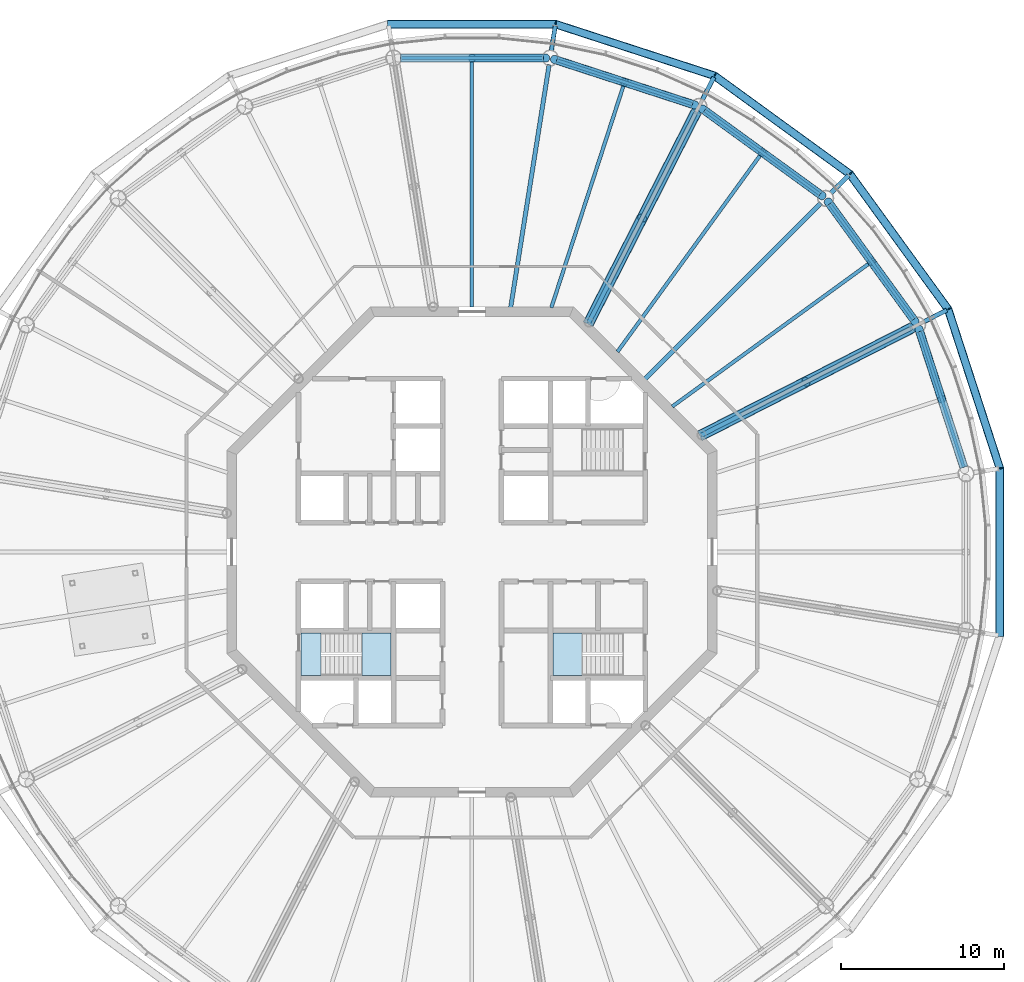
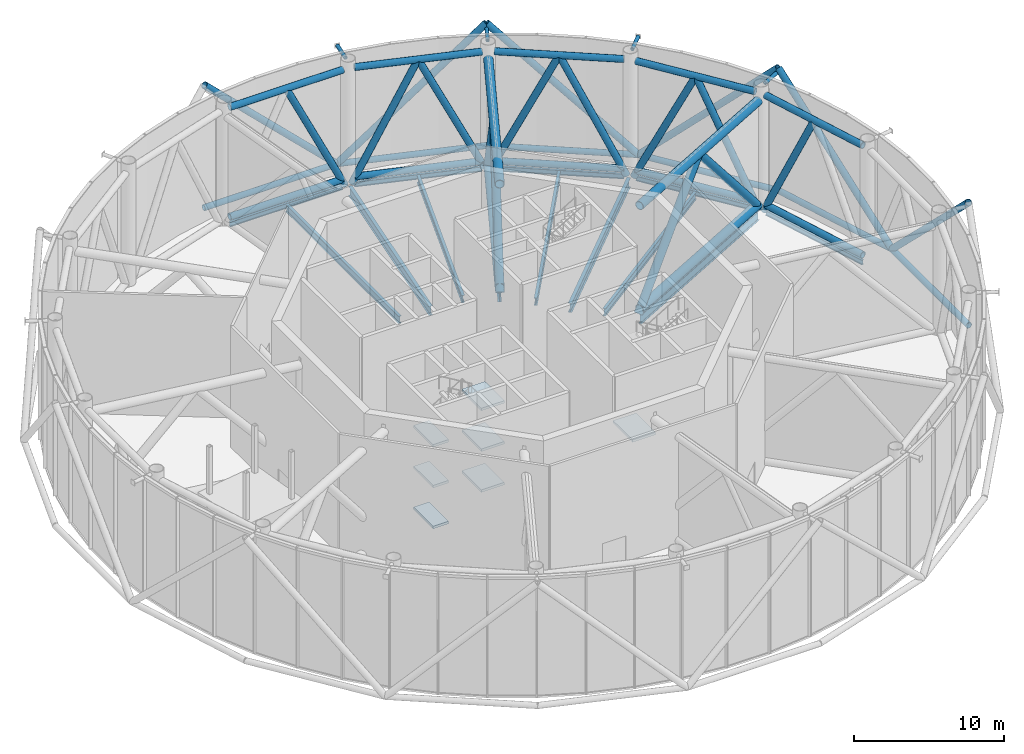
# One storey, part 4 of 23: 42 members, 13 beams, 7 slabs, 2 elements without a shape of their own.
"""IFC4 building model written with IfcOpenShell, lengths in metres."""

from ifc_helpers import new_model, si_unit, direction, frame, origin, origin_2d, place, context, subcontext, project, spatial, polyline, circle, hollow_circle, i_section, outline, extrude, material, layer, layer_set, material_profile, profile_set, type_object, element, aggregate, save


model = new_model("IFC4")

# Units and contexts
model_context = context("Model", 3, precision=1e-05, world=origin(), true_north=direction((0.0, 1.0)))
body_context = subcontext(model_context, "Body", "Model", "MODEL_VIEW")
ifc_project = project(units=[si_unit("LENGTHUNIT", "METRE"), si_unit("AREAUNIT", "SQUARE_METRE"), si_unit("VOLUMEUNIT", "CUBIC_METRE"), si_unit("PLANEANGLEUNIT", "RADIAN"), si_unit("MASSUNIT", "GRAM", prefix="KILO")], contexts=[model_context])

# Site, building, storey
site_placement = place(None, origin())
site = spatial("IfcSite", under=ifc_project, at=site_placement, CompositionType="ELEMENT")
building_placement = place(site_placement, origin())
building = spatial("IfcBuilding", under=site, at=building_placement, Name="Entoto Ring Tower", CompositionType="ELEMENT")
storey_placement = place(building_placement, frame((0.0, 0.0, 392.0)))
storey = spatial("IfcBuildingStorey", under=building, at=storey_placement, Name="L91", CompositionType="ELEMENT", Elevation=392.0)

# Members
ifc_material_1 = material(Name="Steel S355", Category="steel")
ifc_material_profile_1 = material_profile(ifc_material_1, hollow_circle(Radius=0.25390625, WallThickness=0.030029296875, at=origin_2d()), Name="CHS 508 x 30")
ifc_material_2 = material(Name="Concrete C60/75", Category="concrete")
ifc_material_profile_2 = material_profile(ifc_material_2, circle(Radius=0.22412109375, at=origin_2d()), Name="Concrete C60/75 infill")
ifc_profile_set_1 = profile_set([ifc_material_profile_1, ifc_material_profile_2], Name="Steel S355")
member_type_1 = type_object("IfcMemberType", Name="Diagrid diagonal 508 x 30 concrete-filled tube", PredefinedType="BRACE", material=ifc_profile_set_1)
member_1_placement = place(storey_placement, frame((122.29736328125, 85.115478515625, 0.0), z_axis=(0.0, -0.715132528585, 0.698988888724), x_axis=(1.0, 0.0, 0.0)))
element("IfcMember", 1, at=member_1_placement, inside=storey, type_object=member_type_1, Name="DG7 module 29 01", PredefinedType="BRACE", context=body_context, shape_type="SweptSolid", body=[
    extrude(hollow_circle(Radius=0.25390625, WallThickness=0.030029296875, at=origin_2d()), origin(), (0.0, 0.0, 1.0), 14.306396484375),
])
member_2_placement = place(storey_placement, frame((122.29736328125, 85.115478515625, 0.0), z_axis=(-0.220979790543, 0.680124223671, 0.698998549746), x_axis=(-0.95105896794, -0.309009448885, 0.0)))
element("IfcMember", 2, at=member_2_placement, inside=storey, type_object=member_type_1, Name="DG7 module 29 02", PredefinedType="BRACE", context=body_context, shape_type="SweptSolid", body=[
    extrude(hollow_circle(Radius=0.25390625, WallThickness=0.030029296875, at=origin_2d()), origin(), (0.0, 0.0, 1.0), 14.30615234375),
])
for number, where, z_axis, x_axis, name in (
    (3, (113.122314453125, 103.122314453125, 0.0), (0.420350928989, -0.578545680196, 0.698992126153), (0.809008424404, 0.587797047665, 0.0), "DG7 module 29 03"),
    (4, (113.122314453125, 103.122314453125, 0.0), (-0.578545680196, 0.420350928989, 0.698992126153), (-0.587797047665, -0.809008424404, 0.0), "DG7 module 29 04"),
):
    element("IfcMember", number, at=place(storey_placement, frame(where, z_axis=z_axis, x_axis=x_axis)), inside=storey, type_object=member_type_1, Name=name, PredefinedType="BRACE", context=body_context, shape_type="SweptSolid", body=[
        extrude(hollow_circle(Radius=0.25390625, WallThickness=0.030029296875, at=origin_2d()), origin(), (0.0, 0.0, 1.0), 14.306396484375),
    ])
member_3_placement = place(storey_placement, frame((95.115478515625, 112.29736328125, 0.0), z_axis=(0.680124223671, -0.220979790543, 0.698998549746), x_axis=(0.309009448885, 0.95105896794, 0.0)))
element("IfcMember", 5, at=member_3_placement, inside=storey, type_object=member_type_1, Name="DG7 module 29 05", PredefinedType="BRACE", context=body_context, shape_type="SweptSolid", body=[
    extrude(hollow_circle(Radius=0.25390625, WallThickness=0.030029296875, at=origin_2d()), origin(), (0.0, 0.0, 1.0), 14.30615234375),
])
member_4_placement = place(storey_placement, frame((95.115478515625, 112.29736328125, 0.0), z_axis=(-0.715132528585, 0.0, 0.698988888724), x_axis=(0.0, -1.0, 0.0)))
element("IfcMember", 6, at=member_4_placement, inside=storey, type_object=member_type_1, Name="DG7 module 29 06", PredefinedType="BRACE", context=body_context, shape_type="SweptSolid", body=[
    extrude(hollow_circle(Radius=0.25390625, WallThickness=0.030029296875, at=origin_2d()), origin(), (0.0, 0.0, 1.0), 14.306396484375),
])
ifc_material_3 = material(Name="Steel S355", Category="steel")
ifc_material_profile_3 = material_profile(ifc_material_3, hollow_circle(Radius=0.136474609375, WallThickness=0.012451171875, at=origin_2d()), Name="CHS 273 x 12.5")
ifc_material_4 = material(Name="Concrete C60/75", Category="concrete")
ifc_material_profile_4 = material_profile(ifc_material_4, circle(Radius=0.1240234375, at=origin_2d()), Name="Concrete C60/75 infill")
ifc_profile_set_2 = profile_set([ifc_material_profile_3, ifc_material_profile_4], Name="Steel S355")
member_type_2 = type_object("IfcMemberType", Name="Diagrid node strut 273 x 12.5", PredefinedType="STRUT", material=ifc_profile_set_2)
member_5_placement = place(storey_placement, frame((117.675537109375, 94.101318359375, 9.71337890625), z_axis=(0.891006809714, 0.453989939363, 0.0), x_axis=(-0.453989939363, 0.891006809714, 0.0)))
element("IfcMember", 7, at=member_5_placement, inside=storey, type_object=member_type_2, Name="DS2 strut ring 29 01", PredefinedType="STRUT", context=body_context, shape_type="SweptSolid", body=[
    extrude(hollow_circle(Radius=0.136474609375, WallThickness=0.012451171875, at=origin_2d()), origin(), (0.0, 0.0, 1.0), 1.5390625),
])
member_6_placement = place(storey_placement, frame((111.96337890625, 101.96337890625, 9.71337890625), z_axis=(0.707106781187, 0.707106781187, 0.0), x_axis=(-0.707106781187, 0.707106781187, 0.0)))
element("IfcMember", 8, at=member_6_placement, inside=storey, type_object=member_type_2, Name="DS2 strut ring 29 02", PredefinedType="STRUT", context=body_context, shape_type="SweptSolid", body=[
    extrude(hollow_circle(Radius=0.136474609375, WallThickness=0.012451171875, at=origin_2d()), origin(), (0.0, 0.0, 1.0), 1.539306640625),
])
member_7_placement = place(storey_placement, frame((104.101318359375, 107.675537109375, 9.71337890625), z_axis=(0.453989939363, 0.891006809714, 0.0), x_axis=(-0.891006809714, 0.453989939363, 0.0)))
element("IfcMember", 9, at=member_7_placement, inside=storey, type_object=member_type_2, Name="DS2 strut ring 29 03", PredefinedType="STRUT", context=body_context, shape_type="SweptSolid", body=[
    extrude(hollow_circle(Radius=0.136474609375, WallThickness=0.012451171875, at=origin_2d()), origin(), (0.0, 0.0, 1.0), 1.5390625),
])
member_8_placement = place(storey_placement, frame((94.85888671875, 110.678466796875, 9.71337890625), z_axis=(0.156548977711, 0.987670196765, 0.0), x_axis=(-0.987670196765, 0.156548977711, 0.0)))
element("IfcMember", 10, at=member_8_placement, inside=storey, type_object=member_type_2, Name="DS2 strut ring 29 04", PredefinedType="STRUT", context=body_context, shape_type="SweptSolid", body=[
    extrude(hollow_circle(Radius=0.136474609375, WallThickness=0.012451171875, at=origin_2d()), origin(), (0.0, 0.0, 1.0), 1.539306640625),
])
ifc_material_5 = material(Name="Steel S355", Category="steel")
ifc_material_profile_5 = material_profile(ifc_material_5, hollow_circle(Radius=0.228515625, WallThickness=0.02001953125, at=origin_2d()), Name="CHS 457 x 20")
ifc_material_6 = material(Name="Concrete C60/75", Category="concrete")
ifc_material_profile_6 = material_profile(ifc_material_6, circle(Radius=0.20849609375, at=origin_2d()), Name="Concrete C60/75 infill")
ifc_profile_set_3 = profile_set([ifc_material_profile_5, ifc_material_profile_6], Name="Steel S355")
member_type_3 = type_object("IfcMemberType", Name="Diagrid ring beam 457 x 20", PredefinedType="CHORD", material=ifc_profile_set_3)
member_9_placement = place(storey_placement, frame((122.314697265625, 85.06201171875, 0.0), z_axis=(-0.309002809244, 0.951061125206, 0.0), x_axis=(-0.951061125206, -0.309002809244, 0.0)))
element("IfcMember", 11, at=member_9_placement, inside=storey, type_object=member_type_3, Name="DR3 ring 28 01", PredefinedType="CHORD", context=body_context, shape_type="SweptSolid", body=[
    extrude(hollow_circle(Radius=0.228515625, WallThickness=0.02001953125, at=origin_2d()), origin(), (0.0, 0.0, 1.0), 10.343017578125),
])
for number, where, z_axis, x_axis, name in (
    (12, (119.1689453125, 94.800048828125, 0.0), (-0.587781465034, 0.809019745966, 0.0), (-0.809019745966, -0.587781465034, 0.0), "DR3 ring 28 02"),
    (13, (113.16796875, 103.08935546875, 0.0), (-0.809019745966, 0.587781465034, 0.0), (-0.587781465034, -0.809019745966, 0.0), "DR3 ring 28 03"),
):
    element("IfcMember", number, at=place(storey_placement, frame(where, z_axis=z_axis, x_axis=x_axis)), inside=storey, type_object=member_type_3, Name=name, PredefinedType="CHORD", context=body_context, shape_type="SweptSolid", body=[
        extrude(hollow_circle(Radius=0.228515625, WallThickness=0.02001953125, at=origin_2d()), origin(), (0.0, 0.0, 1.0), 10.34326171875),
    ])
member_10_placement = place(storey_placement, frame((104.89892578125, 109.11865234375, 0.0), z_axis=(-0.951061125206, 0.309002809244, 0.0), x_axis=(-0.309002809244, -0.951061125206, 0.0)))
element("IfcMember", 14, at=member_10_placement, inside=storey, type_object=member_type_3, Name="DR3 ring 28 04", PredefinedType="CHORD", context=body_context, shape_type="SweptSolid", body=[
    extrude(hollow_circle(Radius=0.228515625, WallThickness=0.02001953125, at=origin_2d()), origin(), (0.0, 0.0, 1.0), 10.343017578125),
])
for number, where, z_axis, x_axis, name in (
    (15, (95.171630859375, 112.29736328125, 0.0), (-1.0, 0.0, 0.0), (0.0, -1.0, 0.0), "DR3 ring 28 05"),
    (16, (122.29736328125, 74.828369140625, 0.0), (0.0, 1.0, 0.0), (-1.0, 0.0, 0.0), "DR3 ring 28 20"),
):
    element("IfcMember", number, at=place(storey_placement, frame(where, z_axis=z_axis, x_axis=x_axis)), inside=storey, type_object=member_type_3, Name=name, PredefinedType="CHORD", context=body_context, shape_type="SweptSolid", body=[
        extrude(hollow_circle(Radius=0.228515625, WallThickness=0.02001953125, at=origin_2d()), origin(), (0.0, 0.0, 1.0), 10.34326171875),
    ])

# Beams
ifc_material_7 = material(Name="Steel S355", Category="steel")
ifc_material_profile_7 = material_profile(ifc_material_7, i_section(OverallWidth=0.179931640625, OverallDepth=0.39990234375, WebThickness=0.008544921875, FlangeThickness=0.013427734375, FilletRadius=0.02099609375, at=origin_2d()), Name="IPE 400")
ifc_profile_set_4 = profile_set([ifc_material_profile_7], Name="Steel S355")
beam_type_1 = type_object("IfcBeamType", Name="Edge beam IPE 400", PredefinedType="SPANDREL", material=ifc_profile_set_4)
beam_1_placement = place(storey_placement, frame((120.09326171875, 85.187255859375, -0.35009765625), z_axis=(-0.309030438368, 0.951052147972, 0.0), x_axis=(-0.951052147972, -0.309030438368, 0.0)))
element("IfcBeam", 17, at=beam_1_placement, inside=storey, type_object=beam_type_1, Name="Edge beam L91 01", PredefinedType="SPANDREL", context=body_context, shape_type="SweptSolid", body=[
    extrude(i_section(OverallWidth=0.179931640625, OverallDepth=0.39990234375, WebThickness=0.008544921875, FlangeThickness=0.013427734375, FilletRadius=0.02099609375, at=origin_2d()), origin(), (0.0, 0.0, 1.0), 8.732177734375),
])
for number, where, z_axis, x_axis, name in (
    (18, (117.017333984375, 94.232666015625, -0.35009765625), (-0.587794254874, 0.80901045354, 0.0), (-0.80901045354, -0.587794254874, 0.0), "Edge beam L91 02"),
    (19, (111.296875, 101.884765625, -0.35009765625), (-0.80901045354, 0.587794254874, 0.0), (-0.587794254874, -0.80901045354, 0.0), "Edge beam L91 03"),
):
    element("IfcBeam", number, at=place(storey_placement, frame(where, z_axis=z_axis, x_axis=x_axis)), inside=storey, type_object=beam_type_1, Name=name, PredefinedType="SPANDREL", context=body_context, shape_type="SweptSolid", body=[
        extrude(i_section(OverallWidth=0.179931640625, OverallDepth=0.39990234375, WebThickness=0.008544921875, FlangeThickness=0.013427734375, FilletRadius=0.02099609375, at=origin_2d()), origin(), (0.0, 0.0, 1.0), 8.73193359375),
    ])
beam_2_placement = place(storey_placement, frame((103.491943359375, 107.394775390625, -0.35009765625), z_axis=(-0.951052147972, 0.309030438368, 0.0), x_axis=(-0.309030438368, -0.951052147972, 0.0)))
element("IfcBeam", 20, at=beam_2_placement, inside=storey, type_object=beam_type_1, Name="Edge beam L91 04", PredefinedType="SPANDREL", context=body_context, shape_type="SweptSolid", body=[
    extrude(i_section(OverallWidth=0.179931640625, OverallDepth=0.39990234375, WebThickness=0.008544921875, FlangeThickness=0.013427734375, FilletRadius=0.02099609375, at=origin_2d()), origin(), (0.0, 0.0, 1.0), 8.732177734375),
])
beam_3_placement = place(storey_placement, frame((94.365966796875, 110.22314453125, -0.35009765625), z_axis=(-1.0, 0.0, 0.0), x_axis=(0.0, -1.0, 0.0)))
element("IfcBeam", 21, at=beam_3_placement, inside=storey, type_object=beam_type_1, Name="Edge beam L91 05", PredefinedType="SPANDREL", context=body_context, shape_type="SweptSolid", body=[
    extrude(i_section(OverallWidth=0.179931640625, OverallDepth=0.39990234375, WebThickness=0.008544921875, FlangeThickness=0.013427734375, FilletRadius=0.02099609375, at=origin_2d()), origin(), (0.0, 0.0, 1.0), 8.73193359375),
])

# Members
ifc_material_8 = material(Name="Steel S355", Category="steel")
ifc_material_profile_8 = material_profile(ifc_material_8, hollow_circle(Radius=0.330078125, WallThickness=0.031982421875, at=origin_2d()), Name="CHS 660 x 32")
ifc_material_9 = material(Name="Concrete C60/75", Category="concrete")
ifc_material_profile_9 = material_profile(ifc_material_9, circle(Radius=0.298095703125, at=origin_2d()), Name="Concrete C60/75 infill")
ifc_profile_set_5 = profile_set([ifc_material_profile_8, ifc_material_profile_9], Name="Steel S355")
member_type_4 = type_object("IfcMemberType", Name="Outrigger chord 660 x 32", PredefinedType="CHORD", material=ifc_profile_set_5)
for number, where, z_axis, x_axis, name in (
    (22, (103.939453125, 87.1025390625, 0.330078125), (0.891006825369, 0.453989908638, 0.0), (-0.453989908638, 0.891006825369, 0.0), "OR1C L91 bottom 01"),
    (23, (103.939453125, 87.1025390625, 8.76708984375), (0.891006825369, 0.453989908638, 0.0), (-0.453989908638, 0.891006825369, 0.0), "OR1C L91 top 01"),
    (24, (97.1025390625, 93.939453125, 0.330078125), (0.453989908638, 0.891006825369, 0.0), (-0.891006825369, 0.453989908638, 0.0), "OR1C L91 bottom 02"),
    (25, (97.1025390625, 93.939453125, 8.76708984375), (0.453989908638, 0.891006825369, 0.0), (-0.891006825369, 0.453989908638, 0.0), "OR1C L91 top 02"),
):
    element("IfcMember", number, at=place(storey_placement, frame(where, z_axis=z_axis, x_axis=x_axis)), inside=storey, type_object=member_type_4, Name=name, PredefinedType="CHORD", context=body_context, shape_type="SweptSolid", body=[
        extrude(hollow_circle(Radius=0.330078125, WallThickness=0.031982421875, at=origin_2d()), origin(), (0.0, 0.0, 1.0), 14.599853515625),
    ])
ifc_material_10 = material(Name="Steel S355", Category="steel")
ifc_material_profile_10 = material_profile(ifc_material_10, hollow_circle(Radius=0.304931640625, WallThickness=0.030029296875, at=origin_2d()), Name="CHS 610 x 30")
ifc_material_11 = material(Name="Concrete C60/75", Category="concrete")
ifc_material_profile_11 = material_profile(ifc_material_11, circle(Radius=0.27490234375, at=origin_2d()), Name="Concrete C60/75 infill")
ifc_profile_set_6 = profile_set([ifc_material_profile_10, ifc_material_profile_11], Name="Steel S355")
member_type_5 = type_object("IfcMemberType", Name="Outrigger diagonal 610 x 30", PredefinedType="BRACE", material=ifc_profile_set_6)
member_11_placement = place(storey_placement, frame((103.81787109375, 87.04052734375, 0.019287109375), z_axis=(0.576703882361, 0.293840712084, 0.762279652091), x_axis=(-0.453984866353, 0.89100939452, 0.0)))
element("IfcMember", 26, at=member_11_placement, inside=storey, type_object=member_type_5, Name="OR2C L91 01 1", PredefinedType="BRACE", context=body_context, shape_type="SweptSolid", body=[
    extrude(hollow_circle(Radius=0.304931640625, WallThickness=0.030029296875, at=origin_2d()), origin(), (0.0, 0.0, 1.0), 11.475830078125),
])
member_12_placement = place(storey_placement, frame((110.43603515625, 90.41259765625, 8.76708984375), z_axis=(0.576718132049, 0.293861369037, -0.762260908058), x_axis=(-0.454001297508, 0.891001022368, 0.0)))
element("IfcMember", 27, at=member_12_placement, inside=storey, type_object=member_type_5, Name="OR2C L91 01 2", PredefinedType="BRACE", context=body_context, shape_type="SweptSolid", body=[
    extrude(hollow_circle(Radius=0.304931640625, WallThickness=0.030029296875, at=origin_2d()), origin(), (0.0, 0.0, 1.0), 11.447509765625),
])
member_13_placement = place(storey_placement, frame((97.04052734375, 93.81787109375, 0.019287109375), z_axis=(0.293840712084, 0.576703882361, 0.762279652091), x_axis=(-0.89100939452, 0.453984866353, 0.0)))
element("IfcMember", 28, at=member_13_placement, inside=storey, type_object=member_type_5, Name="OR2C L91 02 1", PredefinedType="BRACE", context=body_context, shape_type="SweptSolid", body=[
    extrude(hollow_circle(Radius=0.304931640625, WallThickness=0.030029296875, at=origin_2d()), origin(), (0.0, 0.0, 1.0), 11.475830078125),
])
member_14_placement = place(storey_placement, frame((100.41259765625, 100.43603515625, 8.76708984375), z_axis=(0.293861369037, 0.576718132049, -0.762260908058), x_axis=(-0.891001022368, 0.454001297508, 0.0)))
element("IfcMember", 29, at=member_14_placement, inside=storey, type_object=member_type_5, Name="OR2C L91 02 2", PredefinedType="BRACE", context=body_context, shape_type="SweptSolid", body=[
    extrude(hollow_circle(Radius=0.304931640625, WallThickness=0.030029296875, at=origin_2d()), origin(), (0.0, 0.0, 1.0), 11.447509765625),
])

# Beams
ifc_material_12 = material(Name="Steel S355", Category="steel")
ifc_material_profile_12 = material_profile(ifc_material_12, i_section(OverallWidth=0.262939453125, OverallDepth=0.7529296875, WebThickness=0.011474609375, FlangeThickness=0.01708984375, FilletRadius=0.01708984375, at=origin_2d()), Name="IPE 750 x 137")
ifc_profile_set_7 = profile_set([ifc_material_profile_12], Name="Steel S355")
beam_type_2 = type_object("IfcBeamType", Name="Primary floor beam IPE 750 x 137", PredefinedType="BEAM", material=ifc_profile_set_7)
beam_4_placement = place(storey_placement, frame((103.9970703125, 87.1318359375, -0.526611328125), z_axis=(0.89100578373, 0.453991952968, 0.0), x_axis=(-0.453991952968, 0.89100578373, 0.0)))
element("IfcBeam", 30, at=beam_4_placement, inside=storey, type_object=beam_type_2, Name="Primary L91 R02", PredefinedType="BEAM", context=body_context, shape_type="SweptSolid", body=[
    extrude(i_section(OverallWidth=0.262939453125, OverallDepth=0.7529296875, WebThickness=0.011474609375, FlangeThickness=0.01708984375, FilletRadius=0.01708984375, at=origin_2d()), origin(), (0.0, 0.0, 1.0), 14.48046875),
])
beam_5_placement = place(storey_placement, frame((100.592529296875, 90.592529296875, -0.526611328125), z_axis=(0.707106781187, 0.707106781187, 0.0), x_axis=(-0.707106781187, 0.707106781187, 0.0)))
element("IfcBeam", 31, at=beam_5_placement, inside=storey, type_object=beam_type_2, Name="Primary L91 R03", PredefinedType="BEAM", context=body_context, shape_type="SweptSolid", body=[
    extrude(i_section(OverallWidth=0.262939453125, OverallDepth=0.7529296875, WebThickness=0.011474609375, FlangeThickness=0.01708984375, FilletRadius=0.01708984375, at=origin_2d()), origin(), (0.0, 0.0, 1.0), 15.209716796875),
])
beam_6_placement = place(storey_placement, frame((97.1318359375, 93.9970703125, -0.526611328125), z_axis=(0.453991952968, 0.89100578373, 0.0), x_axis=(-0.89100578373, 0.453991952968, 0.0)))
element("IfcBeam", 32, at=beam_6_placement, inside=storey, type_object=beam_type_2, Name="Primary L91 R04", PredefinedType="BEAM", context=body_context, shape_type="SweptSolid", body=[
    extrude(i_section(OverallWidth=0.262939453125, OverallDepth=0.7529296875, WebThickness=0.011474609375, FlangeThickness=0.01708984375, FilletRadius=0.01708984375, at=origin_2d()), origin(), (0.0, 0.0, 1.0), 14.48046875),
])
beam_7_placement = place(storey_placement, frame((92.369384765625, 94.959716796875, -0.526611328125), z_axis=(0.156432586517, 0.987688638122, 0.0), x_axis=(-0.987688638122, 0.156432586517, 0.0)))
element("IfcBeam", 33, at=beam_7_placement, inside=storey, type_object=beam_type_2, Name="Primary L91 R05", PredefinedType="BEAM", context=body_context, shape_type="SweptSolid", body=[
    extrude(i_section(OverallWidth=0.262939453125, OverallDepth=0.7529296875, WebThickness=0.011474609375, FlangeThickness=0.01708984375, FilletRadius=0.01708984375, at=origin_2d()), origin(), (0.0, 0.0, 1.0), 15.04345703125),
])

# Members
ifc_material_13 = material(Name="Steel S355", Category="steel")
ifc_material_profile_13 = material_profile(ifc_material_13, hollow_circle(Radius=0.25390625, WallThickness=0.030029296875, at=origin_2d()), Name="CHS 508 x 30")
ifc_material_14 = material(Name="Concrete C60/75", Category="concrete")
ifc_material_profile_14 = material_profile(ifc_material_14, circle(Radius=0.22412109375, at=origin_2d()), Name="Concrete C60/75 infill")
ifc_profile_set_8 = profile_set([ifc_material_profile_13, ifc_material_profile_14], Name="Steel S355")
member_type_6 = type_object("IfcMemberType", Name="Ring truss chord 508 x 30", PredefinedType="CHORD", material=ifc_profile_set_8)
for number, where, z_axis, x_axis, name in (
    (34, (120.096435546875, 85.177490234375, 0.25390625), (-0.309030568907, 0.951052105555, 0.0), (-0.951052105555, -0.309030568907, 0.0), "BT1 L91 bottom 01"),
    (35, (120.096435546875, 85.177490234375, 9.196044921875), (-0.309030568907, 0.951052105555, 0.0), (-0.951052105555, -0.309030568907, 0.0), "BT1 L91 top 01"),
):
    element("IfcMember", number, at=place(storey_placement, frame(where, z_axis=z_axis, x_axis=x_axis)), inside=storey, type_object=member_type_6, Name=name, PredefinedType="CHORD", context=body_context, shape_type="SweptSolid", body=[
        extrude(hollow_circle(Radius=0.25390625, WallThickness=0.030029296875, at=origin_2d()), origin(), (0.0, 0.0, 1.0), 8.752685546875),
    ])
for number, where, z_axis, x_axis, name in (
    (36, (117.0234375, 94.224365234375, 0.25390625), (-0.58778684175, 0.809015839564, 0.0), (-0.809015839564, -0.58778684175, 0.0), "BT1 L91 bottom 02"),
    (37, (117.0234375, 94.224365234375, 9.196044921875), (-0.58778684175, 0.809015839564, 0.0), (-0.809015839564, -0.58778684175, 0.0), "BT1 L91 top 02"),
    (38, (111.30517578125, 101.87890625, 0.25390625), (-0.809015839564, 0.58778684175, 0.0), (-0.58778684175, -0.809015839564, 0.0), "BT1 L91 bottom 03"),
    (39, (111.30517578125, 101.87890625, 9.196044921875), (-0.809015839564, 0.58778684175, 0.0), (-0.58778684175, -0.809015839564, 0.0), "BT1 L91 top 03"),
):
    element("IfcMember", number, at=place(storey_placement, frame(where, z_axis=z_axis, x_axis=x_axis)), inside=storey, type_object=member_type_6, Name=name, PredefinedType="CHORD", context=body_context, shape_type="SweptSolid", body=[
        extrude(hollow_circle(Radius=0.25390625, WallThickness=0.030029296875, at=origin_2d()), origin(), (0.0, 0.0, 1.0), 8.75244140625),
    ])
for number, where, z_axis, x_axis, name in (
    (40, (103.501708984375, 107.3916015625, 0.25390625), (-0.951052105555, 0.309030568907, 0.0), (-0.309030568907, -0.951052105555, 0.0), "BT1 L91 bottom 04"),
    (41, (103.501708984375, 107.3916015625, 9.196044921875), (-0.951052105555, 0.309030568907, 0.0), (-0.309030568907, -0.951052105555, 0.0), "BT1 L91 top 04"),
):
    element("IfcMember", number, at=place(storey_placement, frame(where, z_axis=z_axis, x_axis=x_axis)), inside=storey, type_object=member_type_6, Name=name, PredefinedType="CHORD", context=body_context, shape_type="SweptSolid", body=[
        extrude(hollow_circle(Radius=0.25390625, WallThickness=0.030029296875, at=origin_2d()), origin(), (0.0, 0.0, 1.0), 8.752685546875),
    ])
for number, where, z_axis, x_axis, name in (
    (42, (94.376220703125, 110.22314453125, 0.25390625), (-1.0, 0.0, 0.0), (0.0, -1.0, 0.0), "BT1 L91 bottom 05"),
    (43, (94.376220703125, 110.22314453125, 9.196044921875), (-1.0, 0.0, 0.0), (0.0, -1.0, 0.0), "BT1 L91 top 05"),
):
    element("IfcMember", number, at=place(storey_placement, frame(where, z_axis=z_axis, x_axis=x_axis)), inside=storey, type_object=member_type_6, Name=name, PredefinedType="CHORD", context=body_context, shape_type="SweptSolid", body=[
        extrude(hollow_circle(Radius=0.25390625, WallThickness=0.030029296875, at=origin_2d()), origin(), (0.0, 0.0, 1.0), 8.75244140625),
    ])
ifc_material_15 = material(Name="Steel S355", Category="steel")
ifc_material_profile_15 = material_profile(ifc_material_15, hollow_circle(Radius=0.25390625, WallThickness=0.02490234375, at=origin_2d()), Name="CHS 508 x 25")
ifc_material_16 = material(Name="Concrete C60/75", Category="concrete")
ifc_material_profile_16 = material_profile(ifc_material_16, circle(Radius=0.22900390625, at=origin_2d()), Name="Concrete C60/75 infill")
ifc_profile_set_9 = profile_set([ifc_material_profile_15, ifc_material_profile_16], Name="Steel S355")
member_type_7 = type_object("IfcMemberType", Name="Ring truss diagonal 508 x 25", PredefinedType="BRACE", material=ifc_profile_set_9)
for number, where, z_axis, x_axis, name in (
    (44, (118.744140625, 89.339599609375, 9.196044921875), (-0.133588352321, 0.411121828123, -0.901738872715), (-0.951051911595, -0.309031165827, 0.0), "BT2A L91 01 b"),
    (45, (117.110595703125, 94.104248046875, -0.241943359375), (-0.254088134697, 0.349747314022, 0.901729469486), (-0.809036973094, -0.587757752962, 0.0), "BT2A L91 02 a"),
    (46, (114.451171875, 97.764892578125, 9.196044921875), (-0.25409020754, 0.349726841242, -0.901736825768), (-0.809018331801, -0.587783411479, 0.0), "BT2A L91 02 b"),
    (47, (111.42529296875, 101.791748046875, -0.241943359375), (-0.349726841242, 0.25409020754, 0.901736825768), (-0.587783411479, -0.809018331801, 0.0), "BT2A L91 03 a"),
    (48, (107.764892578125, 104.451171875, 9.196044921875), (-0.349747314022, 0.254088134697, -0.901729469486), (-0.587757752962, -0.809036973094, 0.0), "BT2A L91 03 b"),
    (49, (103.642578125, 107.345947265625, -0.241943359375), (-0.411121828123, 0.133588352321, 0.901738872715), (-0.309031165827, -0.951051911595, 0.0), "BT2A L91 04 a"),
    (50, (99.339599609375, 108.744140625, 9.196044921875), (-0.411141211308, 0.133587071211, -0.901730225051), (-0.309015307386, -0.951057064429, 0.0), "BT2A L91 04 b"),
    (51, (94.524658203125, 110.22314453125, -0.241943359375), (-0.432298018271, 0.0, 0.901730793197), (0.0, -1.0, 0.0), "BT2A L91 05 a"),
):
    element("IfcMember", number, at=place(storey_placement, frame(where, z_axis=z_axis, x_axis=x_axis)), inside=storey, type_object=member_type_7, Name=name, PredefinedType="BRACE", context=body_context, shape_type="SweptSolid", body=[
        extrude(hollow_circle(Radius=0.25390625, WallThickness=0.02490234375, at=origin_2d()), origin(), (0.0, 0.0, 1.0), 10.466552734375),
    ])

# Beams
ifc_material_17 = material(Name="Steel S355", Category="steel")
ifc_material_profile_17 = material_profile(ifc_material_17, i_section(OverallWidth=0.219970703125, OverallDepth=0.60009765625, WebThickness=0.011962890625, FlangeThickness=0.01904296875, FilletRadius=0.02392578125, at=origin_2d()), Name="IPE 600")
ifc_profile_set_10 = profile_set([ifc_material_profile_17], Name="Steel S355")
beam_type_3 = type_object("IfcBeamType", Name="Secondary floor beam IPE 600", PredefinedType="JOIST", material=ifc_profile_set_10)
for number, where, z_axis, x_axis, name in (
    (52, (102.25634765625, 88.90478515625, -0.449951171875), (0.809019238239, 0.587782163866, 0.0), (-0.587782163866, 0.809019238239, 0.0), "Secondary beam L91 02"),
    (53, (98.90478515625, 92.25634765625, -0.449951171875), (0.587782163866, 0.809019238239, 0.0), (-0.809019238239, 0.587782163866, 0.0), "Secondary beam L91 03"),
):
    element("IfcBeam", number, at=place(storey_placement, frame(where, z_axis=z_axis, x_axis=x_axis)), inside=storey, type_object=beam_type_3, Name=name, PredefinedType="JOIST", context=body_context, shape_type="SweptSolid", body=[
        extrude(i_section(OverallWidth=0.219970703125, OverallDepth=0.60009765625, WebThickness=0.011962890625, FlangeThickness=0.01904296875, FilletRadius=0.02392578125, at=origin_2d()), origin(), (0.0, 0.0, 1.0), 14.983642578125),
    ])
beam_8_placement = place(storey_placement, frame((94.856689453125, 94.947021484375, -0.449951171875), z_axis=(0.309014850288, 0.951057212949, 0.0), x_axis=(-0.951057212949, 0.309014850288, 0.0)))
element("IfcBeam", 54, at=beam_8_placement, inside=storey, type_object=beam_type_3, Name="Secondary beam L91 04", PredefinedType="JOIST", context=body_context, shape_type="SweptSolid", body=[
    extrude(i_section(OverallWidth=0.219970703125, OverallDepth=0.60009765625, WebThickness=0.011962890625, FlangeThickness=0.01904296875, FilletRadius=0.02392578125, at=origin_2d()), origin(), (0.0, 0.0, 1.0), 14.4169921875),
])
beam_9_placement = place(storey_placement, frame((90.0, 94.97998046875, -0.449951171875), z_axis=(0.0, 1.0, 0.0), x_axis=(-1.0, 0.0, 0.0)))
element("IfcBeam", 55, at=beam_9_placement, inside=storey, type_object=beam_type_3, Name="Secondary beam L91 05", PredefinedType="JOIST", context=body_context, shape_type="SweptSolid", body=[
    extrude(i_section(OverallWidth=0.219970703125, OverallDepth=0.60009765625, WebThickness=0.011962890625, FlangeThickness=0.01904296875, FilletRadius=0.02392578125, at=origin_2d()), origin(), (0.0, 0.0, 1.0), 15.1533203125),
])

# Stair, slabs
ifc_material_18 = material(Name="Concrete C40/50", Category="concrete")
stair_type = type_object("IfcStairType", Name="Exit stair 1200 mm dog-leg reinforced concrete", PredefinedType="HALF_TURN_STAIR", material=ifc_material_18)
stair_1_placement = place(storey_placement, origin())
stair_1 = element("IfcStair", 56, at=stair_1_placement, inside=storey, type_object=stair_type, Name="Exit stair 2", PredefinedType="HALF_TURN_STAIR")
ifc_material_19 = material(Name="Concrete C40/50", Category="concrete")
ifc_layer = layer(ifc_material_19, 0.199951171875)
ifc_layer_set = layer_set([ifc_layer], Name="Concrete C40/50")
slab_type = type_object("IfcSlabType", Name="Stair landing 200 mm reinforced concrete", PredefinedType="LANDING", material=ifc_layer_set)
slab_1_placement = place(storey_placement, frame((0.0, 0.0, -0.199951171875)))
slab_1 = element("IfcSlab", 57, at=slab_1_placement, type_object=slab_type, Name="ST2 landing 1", PredefinedType="LANDING", context=body_context, shape_type="SweptSolid", body=[
    extrude(outline(polyline([(80.75, 72.449951171875), (80.75, 75.050048828125), (79.550048828125, 75.050048828125), (79.550048828125, 72.449951171875), (80.75, 72.449951171875)])), origin(), (0.0, 0.0, 1.0), 0.199951171875),
])
slab_2_placement = place(storey_placement, frame((0.0, 0.0, 1.466796875)))
slab_2 = element("IfcSlab", 58, at=slab_2_placement, type_object=slab_type, Name="ST2 landing 2", PredefinedType="LANDING", context=body_context, shape_type="SweptSolid", body=[
    extrude(outline(polyline([(83.27001953125, 72.449951171875), (85.050048828125, 72.449951171875), (85.050048828125, 75.050048828125), (83.27001953125, 75.050048828125), (83.27001953125, 72.449951171875)])), origin(), (0.0, 0.0, 1.0), 0.199951171875),
])
slab_3_placement = place(storey_placement, frame((0.0, 0.0, 3.13330078125)))
slab_3 = element("IfcSlab", 59, at=slab_3_placement, type_object=slab_type, Name="ST2 landing 3", PredefinedType="LANDING", context=body_context, shape_type="SweptSolid", body=[
    extrude(outline(polyline([(79.550048828125, 72.449951171875), (80.75, 72.449951171875), (80.75, 75.050048828125), (79.550048828125, 75.050048828125), (79.550048828125, 72.449951171875)])), origin(), (0.0, 0.0, 1.0), 0.199951171875),
])
slab_4_placement = place(storey_placement, frame((0.0, 0.0, 4.800048828125)))
slab_4 = element("IfcSlab", 60, at=slab_4_placement, type_object=slab_type, Name="ST2 landing 4", PredefinedType="LANDING", context=body_context, shape_type="SweptSolid", body=[
    extrude(outline(polyline([(83.27001953125, 72.449951171875), (85.050048828125, 72.449951171875), (85.050048828125, 75.050048828125), (83.27001953125, 75.050048828125), (83.27001953125, 72.449951171875)])), origin(), (0.0, 0.0, 1.0), 0.199951171875),
])
slab_5_placement = place(storey_placement, frame((0.0, 0.0, 6.466796875)))
slab_5 = element("IfcSlab", 61, at=slab_5_placement, type_object=slab_type, Name="ST2 landing 5", PredefinedType="LANDING", context=body_context, shape_type="SweptSolid", body=[
    extrude(outline(polyline([(79.550048828125, 72.449951171875), (80.75, 72.449951171875), (80.75, 75.050048828125), (79.550048828125, 75.050048828125), (79.550048828125, 72.449951171875)])), origin(), (0.0, 0.0, 1.0), 0.199951171875),
])
slab_6_placement = place(storey_placement, frame((0.0, 0.0, 8.13330078125)))
slab_6 = element("IfcSlab", 62, at=slab_6_placement, type_object=slab_type, Name="ST2 landing 6", PredefinedType="LANDING", context=body_context, shape_type="SweptSolid", body=[
    extrude(outline(polyline([(83.27001953125, 72.449951171875), (85.050048828125, 72.449951171875), (85.050048828125, 75.050048828125), (83.27001953125, 75.050048828125), (83.27001953125, 72.449951171875)])), origin(), (0.0, 0.0, 1.0), 0.199951171875),
])
aggregate(stair_1, [slab_1, slab_2, slab_3, slab_4, slab_5, slab_6])

# Stair, slab
stair_2_placement = place(storey_placement, origin())
stair_2 = element("IfcStair", 63, at=stair_2_placement, inside=storey, type_object=stair_type, Name="Exit stair 3", PredefinedType="HALF_TURN_STAIR")
slab_7_placement = place(storey_placement, frame((0.0, 0.0, 1.466796875)))
slab_7 = element("IfcSlab", 64, at=slab_7_placement, type_object=slab_type, Name="ST3 landing 2", PredefinedType="LANDING", context=body_context, shape_type="SweptSolid", body=[
    extrude(outline(polyline([(94.949951171875, 72.449951171875), (96.72998046875, 72.449951171875), (96.72998046875, 75.050048828125), (94.949951171875, 75.050048828125), (94.949951171875, 72.449951171875)])), origin(), (0.0, 0.0, 1.0), 0.199951171875),
])
aggregate(stair_2, [slab_7])

save(model, "model.ifc")
